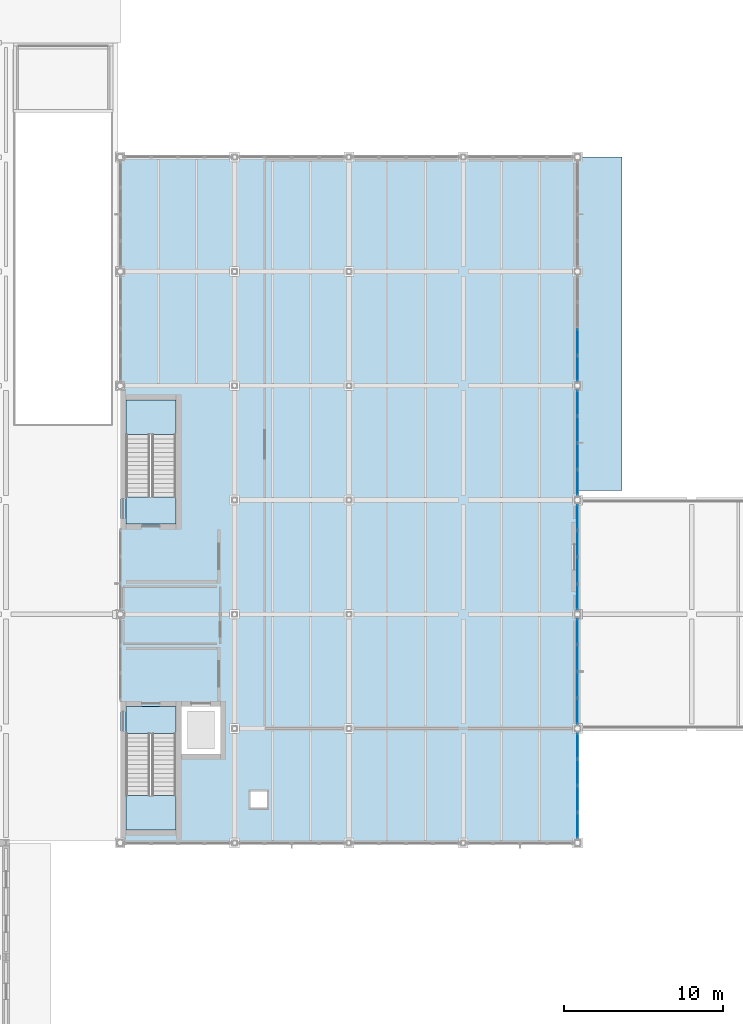
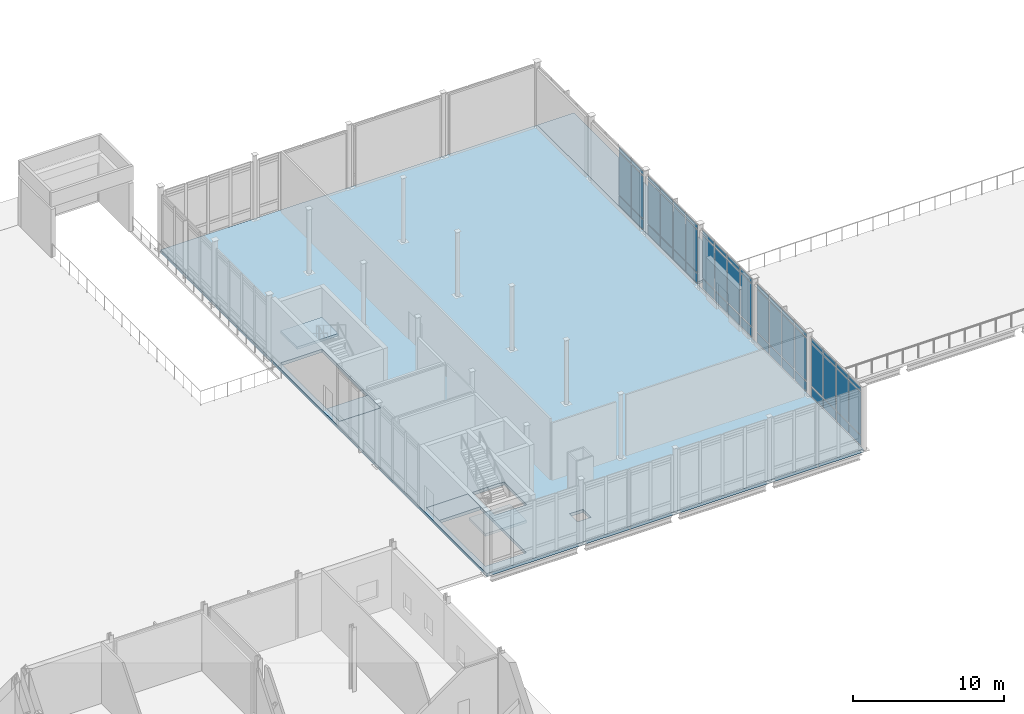
# One storey, part 44 of 89: 54 plates, 6 slabs, 7 elements without a shape of their own.
"""IFC4 building model written with IfcOpenShell, lengths in metres."""

from ifc_helpers import new_model, si_unit, direction, frame, origin, origin_2d, place, context, subcontext, project, spatial, polyline, rectangle, outline, extrude, material, layer, layer_set, type_object, element, aggregate, save


model = new_model("IFC4")

# Units and contexts
model_context = context("Model", 3, precision=1e-05, world=origin(), true_north=direction((0.0, 1.0)))
body_context = subcontext(model_context, "Body", "Model", "MODEL_VIEW")
ifc_project = project(units=[si_unit("LENGTHUNIT", "METRE"), si_unit("AREAUNIT", "SQUARE_METRE"), si_unit("VOLUMEUNIT", "CUBIC_METRE"), si_unit("PLANEANGLEUNIT", "RADIAN"), si_unit("MASSUNIT", "GRAM", prefix="KILO")], contexts=[model_context])

# Site, building, storey
site_placement = place(None, origin())
site = spatial("IfcSite", under=ifc_project, at=site_placement, CompositionType="ELEMENT")
building_placement = place(site_placement, origin())
building = spatial("IfcBuilding", under=site, at=building_placement, Name="Zarrinpeak Specialist Clinic", CompositionType="ELEMENT")
storey_placement = place(building_placement, origin())
storey = spatial("IfcBuildingStorey", under=building, at=storey_placement, Name="L00", CompositionType="ELEMENT", Elevation=0.0)

# Curtain wall, plates
ifc_material_1 = material(Name="Anodised Aluminium Alloy 6063-T6", Category="aluminium")
ifc_layer_1 = layer(ifc_material_1, 0.199951171875)
ifc_layer_set_1 = layer_set([ifc_layer_1], Name="Anodised Aluminium Alloy 6063-T6")
curtain_wall_type = type_object("IfcCurtainWallType", Name="CW-HALL", PredefinedType="NOTDEFINED", material=ifc_layer_set_1)
curtain_wall_1_placement = place(storey_placement, origin())
curtain_wall_1 = element("IfcCurtainWall", 1, at=curtain_wall_1_placement, inside=storey, type_object=curtain_wall_type, Name="L00 V3 Unitised Curtain Wall CW-L00-V3-091", PredefinedType="NOTDEFINED")
ifc_material_2 = material(Name="Double Low-E Insulated Glazing", Category="glass")
ifc_layer_2 = layer(ifc_material_2, 0.028076171875)
ifc_layer_set_2 = layer_set([ifc_layer_2], Name="Double Low-E Insulated Glazing")
plate_type = type_object("IfcPlateType", Name="CWP-GLZ28", PredefinedType="CURTAIN_PANEL", material=ifc_layer_set_2)
plate_1_placement = place(storey_placement, frame((122.39990234375, 29.8935546875, 0.08984375), z_axis=(0.0, 0.0, 1.0), x_axis=(0.0, 1.0, 0.0)))
plate_1 = element("IfcPlate", 2, at=plate_1_placement, type_object=plate_type, Name="CW-02 panel 1.1", PredefinedType="CURTAIN_PANEL", context=body_context, shape_type="SweptSolid", body=[
    extrude(rectangle(XDim=1.55078125, YDim=0.028076171875, at=origin_2d()), origin(), (0.0, 0.0, 1.0), 0.764892578125),
])
plate_2_placement = place(storey_placement, frame((122.39990234375, 29.8935546875, 0.945068359375), z_axis=(0.0, 0.0, 1.0), x_axis=(0.0, 1.0, 0.0)))
plate_2 = element("IfcPlate", 3, at=plate_2_placement, type_object=plate_type, Name="CW-02 panel 1.2", PredefinedType="CURTAIN_PANEL", context=body_context, shape_type="SweptSolid", body=[
    extrude(rectangle(XDim=1.55078125, YDim=0.028076171875, at=origin_2d()), origin(), (0.0, 0.0, 1.0), 3.43505859375),
])
plate_3_placement = place(storey_placement, frame((122.39990234375, 29.8935546875, 4.469970703125), z_axis=(0.0, 0.0, 1.0), x_axis=(0.0, 1.0, 0.0)))
plate_3 = element("IfcPlate", 4, at=plate_3_placement, type_object=plate_type, Name="CW-02 panel 1.3", PredefinedType="CURTAIN_PANEL", context=body_context, shape_type="SweptSolid", body=[
    extrude(rectangle(XDim=1.55078125, YDim=0.028076171875, at=origin_2d()), origin(), (0.0, 0.0, 1.0), 0.31494140625),
])
plate_4_placement = place(storey_placement, frame((122.39990234375, 31.55712890625, 0.08984375), z_axis=(0.0, 0.0, 1.0), x_axis=(0.0, 1.0, 0.0)))
plate_4 = element("IfcPlate", 5, at=plate_4_placement, type_object=plate_type, Name="CW-02 panel 2.1", PredefinedType="CURTAIN_PANEL", context=body_context, shape_type="SweptSolid", body=[
    extrude(rectangle(XDim=1.595947265625, YDim=0.028076171875, at=origin_2d()), origin(), (0.0, 0.0, 1.0), 0.764892578125),
])
plate_5_placement = place(storey_placement, frame((122.39990234375, 31.55712890625, 0.945068359375), z_axis=(0.0, 0.0, 1.0), x_axis=(0.0, 1.0, 0.0)))
plate_5 = element("IfcPlate", 6, at=plate_5_placement, type_object=plate_type, Name="CW-02 panel 2.2", PredefinedType="CURTAIN_PANEL", context=body_context, shape_type="SweptSolid", body=[
    extrude(rectangle(XDim=1.595947265625, YDim=0.028076171875, at=origin_2d()), origin(), (0.0, 0.0, 1.0), 3.43505859375),
])
plate_6_placement = place(storey_placement, frame((122.39990234375, 31.55712890625, 4.469970703125), z_axis=(0.0, 0.0, 1.0), x_axis=(0.0, 1.0, 0.0)))
plate_6 = element("IfcPlate", 7, at=plate_6_placement, type_object=plate_type, Name="CW-02 panel 2.3", PredefinedType="CURTAIN_PANEL", context=body_context, shape_type="SweptSolid", body=[
    extrude(rectangle(XDim=1.595947265625, YDim=0.028076171875, at=origin_2d()), origin(), (0.0, 0.0, 1.0), 0.31494140625),
])
plate_7_placement = place(storey_placement, frame((122.39990234375, 33.242919921875, 0.08984375), z_axis=(0.0, 0.0, 1.0), x_axis=(0.0, 1.0, 0.0)))
plate_7 = element("IfcPlate", 8, at=plate_7_placement, type_object=plate_type, Name="CW-02 panel 3.1", PredefinedType="CURTAIN_PANEL", context=body_context, shape_type="SweptSolid", body=[
    extrude(rectangle(XDim=1.595947265625, YDim=0.028076171875, at=origin_2d()), origin(), (0.0, 0.0, 1.0), 0.764892578125),
])
plate_8_placement = place(storey_placement, frame((122.39990234375, 33.242919921875, 0.945068359375), z_axis=(0.0, 0.0, 1.0), x_axis=(0.0, 1.0, 0.0)))
plate_8 = element("IfcPlate", 9, at=plate_8_placement, type_object=plate_type, Name="CW-02 panel 3.2", PredefinedType="CURTAIN_PANEL", context=body_context, shape_type="SweptSolid", body=[
    extrude(rectangle(XDim=1.595947265625, YDim=0.028076171875, at=origin_2d()), origin(), (0.0, 0.0, 1.0), 3.43505859375),
])
plate_9_placement = place(storey_placement, frame((122.39990234375, 33.242919921875, 4.469970703125), z_axis=(0.0, 0.0, 1.0), x_axis=(0.0, 1.0, 0.0)))
plate_9 = element("IfcPlate", 10, at=plate_9_placement, type_object=plate_type, Name="CW-02 panel 3.3", PredefinedType="CURTAIN_PANEL", context=body_context, shape_type="SweptSolid", body=[
    extrude(rectangle(XDim=1.595947265625, YDim=0.028076171875, at=origin_2d()), origin(), (0.0, 0.0, 1.0), 0.31494140625),
])
plate_10_placement = place(storey_placement, frame((122.39990234375, 34.90625, 0.08984375), z_axis=(0.0, 0.0, 1.0), x_axis=(0.0, 1.0, 0.0)))
plate_10 = element("IfcPlate", 11, at=plate_10_placement, type_object=plate_type, Name="CW-02 panel 4.1", PredefinedType="CURTAIN_PANEL", context=body_context, shape_type="SweptSolid", body=[
    extrude(rectangle(XDim=1.55078125, YDim=0.028076171875, at=origin_2d()), origin(), (0.0, 0.0, 1.0), 0.764892578125),
])
plate_11_placement = place(storey_placement, frame((122.39990234375, 34.90625, 0.945068359375), z_axis=(0.0, 0.0, 1.0), x_axis=(0.0, 1.0, 0.0)))
plate_11 = element("IfcPlate", 12, at=plate_11_placement, type_object=plate_type, Name="CW-02 panel 4.2", PredefinedType="CURTAIN_PANEL", context=body_context, shape_type="SweptSolid", body=[
    extrude(rectangle(XDim=1.55078125, YDim=0.028076171875, at=origin_2d()), origin(), (0.0, 0.0, 1.0), 3.43505859375),
])
plate_12_placement = place(storey_placement, frame((122.39990234375, 34.90625, 4.469970703125), z_axis=(0.0, 0.0, 1.0), x_axis=(0.0, 1.0, 0.0)))
plate_12 = element("IfcPlate", 13, at=plate_12_placement, type_object=plate_type, Name="CW-02 panel 4.3", PredefinedType="CURTAIN_PANEL", context=body_context, shape_type="SweptSolid", body=[
    extrude(rectangle(XDim=1.55078125, YDim=0.028076171875, at=origin_2d()), origin(), (0.0, 0.0, 1.0), 0.31494140625),
])
aggregate(curtain_wall_1, [plate_1, plate_2, plate_3, plate_4, plate_5, plate_6, plate_7, plate_8, plate_9, plate_10, plate_11, plate_12])

curtain_wall_2_placement = place(storey_placement, origin())
curtain_wall_2 = element("IfcCurtainWall", 14, at=curtain_wall_2_placement, inside=storey, type_object=curtain_wall_type, Name="L00 V3 Unitised Curtain Wall CW-L00-V3-092", PredefinedType="NOTDEFINED")
plate_13_placement = place(storey_placement, frame((122.39990234375, 37.09375, 0.08984375), z_axis=(0.0, 0.0, 1.0), x_axis=(0.0, 1.0, 0.0)))
plate_13 = element("IfcPlate", 15, at=plate_13_placement, type_object=plate_type, Name="CW-02 panel 1.1", PredefinedType="CURTAIN_PANEL", context=body_context, shape_type="SweptSolid", body=[
    extrude(rectangle(XDim=1.55078125, YDim=0.028076171875, at=origin_2d()), origin(), (0.0, 0.0, 1.0), 0.764892578125),
])
plate_14_placement = place(storey_placement, frame((122.39990234375, 37.09375, 0.945068359375), z_axis=(0.0, 0.0, 1.0), x_axis=(0.0, 1.0, 0.0)))
plate_14 = element("IfcPlate", 16, at=plate_14_placement, type_object=plate_type, Name="CW-02 panel 1.2", PredefinedType="CURTAIN_PANEL", context=body_context, shape_type="SweptSolid", body=[
    extrude(rectangle(XDim=1.55078125, YDim=0.028076171875, at=origin_2d()), origin(), (0.0, 0.0, 1.0), 3.43505859375),
])
plate_15_placement = place(storey_placement, frame((122.39990234375, 37.09375, 4.469970703125), z_axis=(0.0, 0.0, 1.0), x_axis=(0.0, 1.0, 0.0)))
plate_15 = element("IfcPlate", 17, at=plate_15_placement, type_object=plate_type, Name="CW-02 panel 1.3", PredefinedType="CURTAIN_PANEL", context=body_context, shape_type="SweptSolid", body=[
    extrude(rectangle(XDim=1.55078125, YDim=0.028076171875, at=origin_2d()), origin(), (0.0, 0.0, 1.0), 0.31494140625),
])
plate_16_placement = place(storey_placement, frame((122.39990234375, 38.757080078125, 0.08984375), z_axis=(0.0, 0.0, 1.0), x_axis=(0.0, 1.0, 0.0)))
plate_16 = element("IfcPlate", 18, at=plate_16_placement, type_object=plate_type, Name="CW-02 panel 2.1", PredefinedType="CURTAIN_PANEL", context=body_context, shape_type="SweptSolid", body=[
    extrude(rectangle(XDim=1.595947265625, YDim=0.028076171875, at=origin_2d()), origin(), (0.0, 0.0, 1.0), 0.764892578125),
])
plate_17_placement = place(storey_placement, frame((122.39990234375, 38.757080078125, 0.945068359375), z_axis=(0.0, 0.0, 1.0), x_axis=(0.0, 1.0, 0.0)))
plate_17 = element("IfcPlate", 19, at=plate_17_placement, type_object=plate_type, Name="CW-02 panel 2.2", PredefinedType="CURTAIN_PANEL", context=body_context, shape_type="SweptSolid", body=[
    extrude(rectangle(XDim=1.595947265625, YDim=0.028076171875, at=origin_2d()), origin(), (0.0, 0.0, 1.0), 3.43505859375),
])
plate_18_placement = place(storey_placement, frame((122.39990234375, 38.757080078125, 4.469970703125), z_axis=(0.0, 0.0, 1.0), x_axis=(0.0, 1.0, 0.0)))
plate_18 = element("IfcPlate", 20, at=plate_18_placement, type_object=plate_type, Name="CW-02 panel 2.3", PredefinedType="CURTAIN_PANEL", context=body_context, shape_type="SweptSolid", body=[
    extrude(rectangle(XDim=1.595947265625, YDim=0.028076171875, at=origin_2d()), origin(), (0.0, 0.0, 1.0), 0.31494140625),
])
plate_19_placement = place(storey_placement, frame((122.39990234375, 40.44287109375, 0.08984375), z_axis=(0.0, 0.0, 1.0), x_axis=(0.0, 1.0, 0.0)))
plate_19 = element("IfcPlate", 21, at=plate_19_placement, type_object=plate_type, Name="CW-02 panel 3.1", PredefinedType="CURTAIN_PANEL", context=body_context, shape_type="SweptSolid", body=[
    extrude(rectangle(XDim=1.595947265625, YDim=0.028076171875, at=origin_2d()), origin(), (0.0, 0.0, 1.0), 0.764892578125),
])
plate_20_placement = place(storey_placement, frame((122.39990234375, 40.44287109375, 0.945068359375), z_axis=(0.0, 0.0, 1.0), x_axis=(0.0, 1.0, 0.0)))
plate_20 = element("IfcPlate", 22, at=plate_20_placement, type_object=plate_type, Name="CW-02 panel 3.2", PredefinedType="CURTAIN_PANEL", context=body_context, shape_type="SweptSolid", body=[
    extrude(rectangle(XDim=1.595947265625, YDim=0.028076171875, at=origin_2d()), origin(), (0.0, 0.0, 1.0), 3.43505859375),
])
plate_21_placement = place(storey_placement, frame((122.39990234375, 40.44287109375, 4.469970703125), z_axis=(0.0, 0.0, 1.0), x_axis=(0.0, 1.0, 0.0)))
plate_21 = element("IfcPlate", 23, at=plate_21_placement, type_object=plate_type, Name="CW-02 panel 3.3", PredefinedType="CURTAIN_PANEL", context=body_context, shape_type="SweptSolid", body=[
    extrude(rectangle(XDim=1.595947265625, YDim=0.028076171875, at=origin_2d()), origin(), (0.0, 0.0, 1.0), 0.31494140625),
])
plate_22_placement = place(storey_placement, frame((122.39990234375, 42.1064453125, 0.08984375), z_axis=(0.0, 0.0, 1.0), x_axis=(0.0, 1.0, 0.0)))
plate_22 = element("IfcPlate", 24, at=plate_22_placement, type_object=plate_type, Name="CW-02 panel 4.1", PredefinedType="CURTAIN_PANEL", context=body_context, shape_type="SweptSolid", body=[
    extrude(rectangle(XDim=1.55078125, YDim=0.028076171875, at=origin_2d()), origin(), (0.0, 0.0, 1.0), 0.764892578125),
])
plate_23_placement = place(storey_placement, frame((122.39990234375, 42.1064453125, 0.945068359375), z_axis=(0.0, 0.0, 1.0), x_axis=(0.0, 1.0, 0.0)))
plate_23 = element("IfcPlate", 25, at=plate_23_placement, type_object=plate_type, Name="CW-02 panel 4.2", PredefinedType="CURTAIN_PANEL", context=body_context, shape_type="SweptSolid", body=[
    extrude(rectangle(XDim=1.55078125, YDim=0.028076171875, at=origin_2d()), origin(), (0.0, 0.0, 1.0), 3.43505859375),
])
plate_24_placement = place(storey_placement, frame((122.39990234375, 42.1064453125, 4.469970703125), z_axis=(0.0, 0.0, 1.0), x_axis=(0.0, 1.0, 0.0)))
plate_24 = element("IfcPlate", 26, at=plate_24_placement, type_object=plate_type, Name="CW-02 panel 4.3", PredefinedType="CURTAIN_PANEL", context=body_context, shape_type="SweptSolid", body=[
    extrude(rectangle(XDim=1.55078125, YDim=0.028076171875, at=origin_2d()), origin(), (0.0, 0.0, 1.0), 0.31494140625),
])
aggregate(curtain_wall_2, [plate_13, plate_14, plate_15, plate_16, plate_17, plate_18, plate_19, plate_20, plate_21, plate_22, plate_23, plate_24])

curtain_wall_3_placement = place(storey_placement, origin())
curtain_wall_3 = element("IfcCurtainWall", 27, at=curtain_wall_3_placement, inside=storey, type_object=curtain_wall_type, Name="L00 V3 Unitised Curtain Wall CW-L00-V3-093", PredefinedType="NOTDEFINED")
plate_25_placement = place(storey_placement, frame((122.39990234375, 44.293701171875, 0.08984375), z_axis=(0.0, 0.0, 1.0), x_axis=(0.0, 1.0, 0.0)))
plate_25 = element("IfcPlate", 28, at=plate_25_placement, type_object=plate_type, Name="CW-02 panel 1.1", PredefinedType="CURTAIN_PANEL", context=body_context, shape_type="SweptSolid", body=[
    extrude(rectangle(XDim=1.55078125, YDim=0.028076171875, at=origin_2d()), origin(), (0.0, 0.0, 1.0), 0.764892578125),
])
plate_26_placement = place(storey_placement, frame((122.39990234375, 44.293701171875, 0.945068359375), z_axis=(0.0, 0.0, 1.0), x_axis=(0.0, 1.0, 0.0)))
plate_26 = element("IfcPlate", 29, at=plate_26_placement, type_object=plate_type, Name="CW-02 panel 1.2", PredefinedType="CURTAIN_PANEL", context=body_context, shape_type="SweptSolid", body=[
    extrude(rectangle(XDim=1.55078125, YDim=0.028076171875, at=origin_2d()), origin(), (0.0, 0.0, 1.0), 3.43505859375),
])
plate_27_placement = place(storey_placement, frame((122.39990234375, 44.293701171875, 4.469970703125), z_axis=(0.0, 0.0, 1.0), x_axis=(0.0, 1.0, 0.0)))
plate_27 = element("IfcPlate", 30, at=plate_27_placement, type_object=plate_type, Name="CW-02 panel 1.3", PredefinedType="CURTAIN_PANEL", context=body_context, shape_type="SweptSolid", body=[
    extrude(rectangle(XDim=1.55078125, YDim=0.028076171875, at=origin_2d()), origin(), (0.0, 0.0, 1.0), 0.31494140625),
])
plate_28_placement = place(storey_placement, frame((122.39990234375, 45.95703125, 0.08984375), z_axis=(0.0, 0.0, 1.0), x_axis=(0.0, 1.0, 0.0)))
plate_28 = element("IfcPlate", 31, at=plate_28_placement, type_object=plate_type, Name="CW-02 panel 2.1", PredefinedType="CURTAIN_PANEL", context=body_context, shape_type="SweptSolid", body=[
    extrude(rectangle(XDim=1.595947265625, YDim=0.028076171875, at=origin_2d()), origin(), (0.0, 0.0, 1.0), 0.764892578125),
])
plate_29_placement = place(storey_placement, frame((122.39990234375, 45.95703125, 0.945068359375), z_axis=(0.0, 0.0, 1.0), x_axis=(0.0, 1.0, 0.0)))
plate_29 = element("IfcPlate", 32, at=plate_29_placement, type_object=plate_type, Name="CW-02 panel 2.2", PredefinedType="CURTAIN_PANEL", context=body_context, shape_type="SweptSolid", body=[
    extrude(rectangle(XDim=1.595947265625, YDim=0.028076171875, at=origin_2d()), origin(), (0.0, 0.0, 1.0), 3.43505859375),
])
plate_30_placement = place(storey_placement, frame((122.39990234375, 45.95703125, 4.469970703125), z_axis=(0.0, 0.0, 1.0), x_axis=(0.0, 1.0, 0.0)))
plate_30 = element("IfcPlate", 33, at=plate_30_placement, type_object=plate_type, Name="CW-02 panel 2.3", PredefinedType="CURTAIN_PANEL", context=body_context, shape_type="SweptSolid", body=[
    extrude(rectangle(XDim=1.595947265625, YDim=0.028076171875, at=origin_2d()), origin(), (0.0, 0.0, 1.0), 0.31494140625),
])
plate_31_placement = place(storey_placement, frame((122.39990234375, 47.64306640625, 0.08984375), z_axis=(0.0, 0.0, 1.0), x_axis=(0.0, 1.0, 0.0)))
plate_31 = element("IfcPlate", 34, at=plate_31_placement, type_object=plate_type, Name="CW-02 panel 3.1", PredefinedType="CURTAIN_PANEL", context=body_context, shape_type="SweptSolid", body=[
    extrude(rectangle(XDim=1.595947265625, YDim=0.028076171875, at=origin_2d()), origin(), (0.0, 0.0, 1.0), 0.764892578125),
])
plate_32_placement = place(storey_placement, frame((122.39990234375, 47.64306640625, 0.945068359375), z_axis=(0.0, 0.0, 1.0), x_axis=(0.0, 1.0, 0.0)))
plate_32 = element("IfcPlate", 35, at=plate_32_placement, type_object=plate_type, Name="CW-02 panel 3.2", PredefinedType="CURTAIN_PANEL", context=body_context, shape_type="SweptSolid", body=[
    extrude(rectangle(XDim=1.595947265625, YDim=0.028076171875, at=origin_2d()), origin(), (0.0, 0.0, 1.0), 3.43505859375),
])
plate_33_placement = place(storey_placement, frame((122.39990234375, 47.64306640625, 4.469970703125), z_axis=(0.0, 0.0, 1.0), x_axis=(0.0, 1.0, 0.0)))
plate_33 = element("IfcPlate", 36, at=plate_33_placement, type_object=plate_type, Name="CW-02 panel 3.3", PredefinedType="CURTAIN_PANEL", context=body_context, shape_type="SweptSolid", body=[
    extrude(rectangle(XDim=1.595947265625, YDim=0.028076171875, at=origin_2d()), origin(), (0.0, 0.0, 1.0), 0.31494140625),
])
plate_34_placement = place(storey_placement, frame((122.39990234375, 49.306396484375, 0.08984375), z_axis=(0.0, 0.0, 1.0), x_axis=(0.0, 1.0, 0.0)))
plate_34 = element("IfcPlate", 37, at=plate_34_placement, type_object=plate_type, Name="CW-02 panel 4.1", PredefinedType="CURTAIN_PANEL", context=body_context, shape_type="SweptSolid", body=[
    extrude(rectangle(XDim=1.55078125, YDim=0.028076171875, at=origin_2d()), origin(), (0.0, 0.0, 1.0), 0.764892578125),
])
plate_35_placement = place(storey_placement, frame((122.39990234375, 49.306396484375, 0.945068359375), z_axis=(0.0, 0.0, 1.0), x_axis=(0.0, 1.0, 0.0)))
plate_35 = element("IfcPlate", 38, at=plate_35_placement, type_object=plate_type, Name="CW-02 panel 4.2", PredefinedType="CURTAIN_PANEL", context=body_context, shape_type="SweptSolid", body=[
    extrude(rectangle(XDim=1.55078125, YDim=0.028076171875, at=origin_2d()), origin(), (0.0, 0.0, 1.0), 3.43505859375),
])
plate_36_placement = place(storey_placement, frame((122.39990234375, 49.306396484375, 4.469970703125), z_axis=(0.0, 0.0, 1.0), x_axis=(0.0, 1.0, 0.0)))
plate_36 = element("IfcPlate", 39, at=plate_36_placement, type_object=plate_type, Name="CW-02 panel 4.3", PredefinedType="CURTAIN_PANEL", context=body_context, shape_type="SweptSolid", body=[
    extrude(rectangle(XDim=1.55078125, YDim=0.028076171875, at=origin_2d()), origin(), (0.0, 0.0, 1.0), 0.31494140625),
])
aggregate(curtain_wall_3, [plate_25, plate_26, plate_27, plate_28, plate_29, plate_30, plate_31, plate_32, plate_33, plate_34, plate_35, plate_36])

curtain_wall_4_placement = place(storey_placement, origin())
curtain_wall_4 = element("IfcCurtainWall", 40, at=curtain_wall_4_placement, inside=storey, type_object=curtain_wall_type, Name="L00 V3 Unitised Curtain Wall CW-L00-V3-094", PredefinedType="NOTDEFINED")
plate_37_placement = place(storey_placement, frame((122.39990234375, 51.49365234375, 0.08984375), z_axis=(0.0, 0.0, 1.0), x_axis=(0.0, 1.0, 0.0)))
plate_37 = element("IfcPlate", 41, at=plate_37_placement, type_object=plate_type, Name="CW-02 panel 1.1", PredefinedType="CURTAIN_PANEL", context=body_context, shape_type="SweptSolid", body=[
    extrude(rectangle(XDim=1.55078125, YDim=0.028076171875, at=origin_2d()), origin(), (0.0, 0.0, 1.0), 0.764892578125),
])
plate_38_placement = place(storey_placement, frame((122.39990234375, 51.49365234375, 0.945068359375), z_axis=(0.0, 0.0, 1.0), x_axis=(0.0, 1.0, 0.0)))
plate_38 = element("IfcPlate", 42, at=plate_38_placement, type_object=plate_type, Name="CW-02 panel 1.2", PredefinedType="CURTAIN_PANEL", context=body_context, shape_type="SweptSolid", body=[
    extrude(rectangle(XDim=1.55078125, YDim=0.028076171875, at=origin_2d()), origin(), (0.0, 0.0, 1.0), 3.43505859375),
])
plate_39_placement = place(storey_placement, frame((122.39990234375, 51.49365234375, 4.469970703125), z_axis=(0.0, 0.0, 1.0), x_axis=(0.0, 1.0, 0.0)))
plate_39 = element("IfcPlate", 43, at=plate_39_placement, type_object=plate_type, Name="CW-02 panel 1.3", PredefinedType="CURTAIN_PANEL", context=body_context, shape_type="SweptSolid", body=[
    extrude(rectangle(XDim=1.55078125, YDim=0.028076171875, at=origin_2d()), origin(), (0.0, 0.0, 1.0), 0.31494140625),
])
plate_40_placement = place(storey_placement, frame((122.39990234375, 53.156982421875, 0.08984375), z_axis=(0.0, 0.0, 1.0), x_axis=(0.0, 1.0, 0.0)))
plate_40 = element("IfcPlate", 44, at=plate_40_placement, type_object=plate_type, Name="CW-02 panel 2.1", PredefinedType="CURTAIN_PANEL", context=body_context, shape_type="SweptSolid", body=[
    extrude(rectangle(XDim=1.595947265625, YDim=0.028076171875, at=origin_2d()), origin(), (0.0, 0.0, 1.0), 0.764892578125),
])
plate_41_placement = place(storey_placement, frame((122.39990234375, 53.156982421875, 0.945068359375), z_axis=(0.0, 0.0, 1.0), x_axis=(0.0, 1.0, 0.0)))
plate_41 = element("IfcPlate", 45, at=plate_41_placement, type_object=plate_type, Name="CW-02 panel 2.2", PredefinedType="CURTAIN_PANEL", context=body_context, shape_type="SweptSolid", body=[
    extrude(rectangle(XDim=1.595947265625, YDim=0.028076171875, at=origin_2d()), origin(), (0.0, 0.0, 1.0), 3.43505859375),
])
plate_42_placement = place(storey_placement, frame((122.39990234375, 53.156982421875, 4.469970703125), z_axis=(0.0, 0.0, 1.0), x_axis=(0.0, 1.0, 0.0)))
plate_42 = element("IfcPlate", 46, at=plate_42_placement, type_object=plate_type, Name="CW-02 panel 2.3", PredefinedType="CURTAIN_PANEL", context=body_context, shape_type="SweptSolid", body=[
    extrude(rectangle(XDim=1.595947265625, YDim=0.028076171875, at=origin_2d()), origin(), (0.0, 0.0, 1.0), 0.31494140625),
])
plate_43_placement = place(storey_placement, frame((122.39990234375, 54.843017578125, 0.08984375), z_axis=(0.0, 0.0, 1.0), x_axis=(0.0, 1.0, 0.0)))
plate_43 = element("IfcPlate", 47, at=plate_43_placement, type_object=plate_type, Name="CW-02 panel 3.1", PredefinedType="CURTAIN_PANEL", context=body_context, shape_type="SweptSolid", body=[
    extrude(rectangle(XDim=1.595947265625, YDim=0.028076171875, at=origin_2d()), origin(), (0.0, 0.0, 1.0), 0.764892578125),
])
plate_44_placement = place(storey_placement, frame((122.39990234375, 54.843017578125, 0.945068359375), z_axis=(0.0, 0.0, 1.0), x_axis=(0.0, 1.0, 0.0)))
plate_44 = element("IfcPlate", 48, at=plate_44_placement, type_object=plate_type, Name="CW-02 panel 3.2", PredefinedType="CURTAIN_PANEL", context=body_context, shape_type="SweptSolid", body=[
    extrude(rectangle(XDim=1.595947265625, YDim=0.028076171875, at=origin_2d()), origin(), (0.0, 0.0, 1.0), 3.43505859375),
])
plate_45_placement = place(storey_placement, frame((122.39990234375, 54.843017578125, 4.469970703125), z_axis=(0.0, 0.0, 1.0), x_axis=(0.0, 1.0, 0.0)))
plate_45 = element("IfcPlate", 49, at=plate_45_placement, type_object=plate_type, Name="CW-02 panel 3.3", PredefinedType="CURTAIN_PANEL", context=body_context, shape_type="SweptSolid", body=[
    extrude(rectangle(XDim=1.595947265625, YDim=0.028076171875, at=origin_2d()), origin(), (0.0, 0.0, 1.0), 0.31494140625),
])
plate_46_placement = place(storey_placement, frame((122.39990234375, 56.50634765625, 0.08984375), z_axis=(0.0, 0.0, 1.0), x_axis=(0.0, 1.0, 0.0)))
plate_46 = element("IfcPlate", 50, at=plate_46_placement, type_object=plate_type, Name="CW-02 panel 4.1", PredefinedType="CURTAIN_PANEL", context=body_context, shape_type="SweptSolid", body=[
    extrude(rectangle(XDim=1.55078125, YDim=0.028076171875, at=origin_2d()), origin(), (0.0, 0.0, 1.0), 0.764892578125),
])
plate_47_placement = place(storey_placement, frame((122.39990234375, 56.50634765625, 0.945068359375), z_axis=(0.0, 0.0, 1.0), x_axis=(0.0, 1.0, 0.0)))
plate_47 = element("IfcPlate", 51, at=plate_47_placement, type_object=plate_type, Name="CW-02 panel 4.2", PredefinedType="CURTAIN_PANEL", context=body_context, shape_type="SweptSolid", body=[
    extrude(rectangle(XDim=1.55078125, YDim=0.028076171875, at=origin_2d()), origin(), (0.0, 0.0, 1.0), 3.43505859375),
])
plate_48_placement = place(storey_placement, frame((122.39990234375, 56.50634765625, 4.469970703125), z_axis=(0.0, 0.0, 1.0), x_axis=(0.0, 1.0, 0.0)))
plate_48 = element("IfcPlate", 52, at=plate_48_placement, type_object=plate_type, Name="CW-02 panel 4.3", PredefinedType="CURTAIN_PANEL", context=body_context, shape_type="SweptSolid", body=[
    extrude(rectangle(XDim=1.55078125, YDim=0.028076171875, at=origin_2d()), origin(), (0.0, 0.0, 1.0), 0.31494140625),
])
aggregate(curtain_wall_4, [plate_37, plate_38, plate_39, plate_40, plate_41, plate_42, plate_43, plate_44, plate_45, plate_46, plate_47, plate_48])

curtain_wall_5_placement = place(storey_placement, origin())
curtain_wall_5 = element("IfcCurtainWall", 53, at=curtain_wall_5_placement, inside=storey, type_object=curtain_wall_type, Name="L00 V3 Unitised Curtain Wall CW-L00-V3-095", PredefinedType="NOTDEFINED")
plate_49_placement = place(storey_placement, frame((122.39990234375, 58.693603515625, 0.08984375), z_axis=(0.0, 0.0, 1.0), x_axis=(0.0, 1.0, 0.0)))
plate_49 = element("IfcPlate", 54, at=plate_49_placement, type_object=plate_type, Name="CW-02 panel 1.1", PredefinedType="CURTAIN_PANEL", context=body_context, shape_type="SweptSolid", body=[
    extrude(rectangle(XDim=1.55078125, YDim=0.028076171875, at=origin_2d()), origin(), (0.0, 0.0, 1.0), 0.764892578125),
])
plate_50_placement = place(storey_placement, frame((122.39990234375, 58.693603515625, 0.945068359375), z_axis=(0.0, 0.0, 1.0), x_axis=(0.0, 1.0, 0.0)))
plate_50 = element("IfcPlate", 55, at=plate_50_placement, type_object=plate_type, Name="CW-02 panel 1.2", PredefinedType="CURTAIN_PANEL", context=body_context, shape_type="SweptSolid", body=[
    extrude(rectangle(XDim=1.55078125, YDim=0.028076171875, at=origin_2d()), origin(), (0.0, 0.0, 1.0), 3.43505859375),
])
plate_51_placement = place(storey_placement, frame((122.39990234375, 58.693603515625, 4.469970703125), z_axis=(0.0, 0.0, 1.0), x_axis=(0.0, 1.0, 0.0)))
plate_51 = element("IfcPlate", 56, at=plate_51_placement, type_object=plate_type, Name="CW-02 panel 1.3", PredefinedType="CURTAIN_PANEL", context=body_context, shape_type="SweptSolid", body=[
    extrude(rectangle(XDim=1.55078125, YDim=0.028076171875, at=origin_2d()), origin(), (0.0, 0.0, 1.0), 0.31494140625),
])
plate_52_placement = place(storey_placement, frame((122.39990234375, 60.35693359375, 0.08984375), z_axis=(0.0, 0.0, 1.0), x_axis=(0.0, 1.0, 0.0)))
plate_52 = element("IfcPlate", 57, at=plate_52_placement, type_object=plate_type, Name="CW-02 panel 2.1", PredefinedType="CURTAIN_PANEL", context=body_context, shape_type="SweptSolid", body=[
    extrude(rectangle(XDim=1.595947265625, YDim=0.028076171875, at=origin_2d()), origin(), (0.0, 0.0, 1.0), 0.764892578125),
])
plate_53_placement = place(storey_placement, frame((122.39990234375, 60.35693359375, 0.945068359375), z_axis=(0.0, 0.0, 1.0), x_axis=(0.0, 1.0, 0.0)))
plate_53 = element("IfcPlate", 58, at=plate_53_placement, type_object=plate_type, Name="CW-02 panel 2.2", PredefinedType="CURTAIN_PANEL", context=body_context, shape_type="SweptSolid", body=[
    extrude(rectangle(XDim=1.595947265625, YDim=0.028076171875, at=origin_2d()), origin(), (0.0, 0.0, 1.0), 3.43505859375),
])
plate_54_placement = place(storey_placement, frame((122.39990234375, 60.35693359375, 4.469970703125), z_axis=(0.0, 0.0, 1.0), x_axis=(0.0, 1.0, 0.0)))
plate_54 = element("IfcPlate", 59, at=plate_54_placement, type_object=plate_type, Name="CW-02 panel 2.3", PredefinedType="CURTAIN_PANEL", context=body_context, shape_type="SweptSolid", body=[
    extrude(rectangle(XDim=1.595947265625, YDim=0.028076171875, at=origin_2d()), origin(), (0.0, 0.0, 1.0), 0.31494140625),
])
aggregate(curtain_wall_5, [plate_49, plate_50, plate_51, plate_52, plate_53, plate_54])

# Slabs
ifc_material_3 = material(Name="Concrete C35/45", Category="concrete")
ifc_layer_3 = layer(ifc_material_3, 0.25)
ifc_layer_set_3 = layer_set([ifc_layer_3], Name="Concrete C35/45")
slab_type_1 = type_object("IfcSlabType", Name="SL-FLR250", PredefinedType="FLOOR", material=ifc_layer_set_3)
slab_1_placement = place(storey_placement, frame((0.0, 0.0, -0.25)))
element("IfcSlab", 60, at=slab_1_placement, inside=storey, type_object=slab_type_1, Name="L00 Suspended Clinical Floor Slab V3", PredefinedType="FLOOR", context=body_context, shape_type="SweptSolid", body=[
    extrude(outline(polyline([(93.60009765625, 28.800048828125), (122.39990234375, 28.800048828125), (122.39990234375, 72.0), (93.60009765625, 72.0), (93.60009765625, 28.800048828125)]), holes=[polyline([(93.949951171875, 29.60009765625), (97.10009765625, 29.60009765625), (97.10009765625, 37.39990234375), (93.949951171875, 37.39990234375), (93.949951171875, 29.60009765625)]), polyline([(97.449951171875, 34.39990234375), (99.89990234375, 34.39990234375), (99.89990234375, 37.39990234375), (97.449951171875, 37.39990234375), (97.449951171875, 34.39990234375)]), polyline([(93.949951171875, 48.89990234375), (97.10009765625, 48.89990234375), (97.10009765625, 56.699951171875), (93.949951171875, 56.699951171875), (93.949951171875, 48.89990234375)]), polyline([(101.800048828125, 31.0), (102.85009765625, 31.0), (102.85009765625, 32.050048828125), (101.800048828125, 32.050048828125), (101.800048828125, 31.0)])]), origin(), (0.0, 0.0, 1.0), 0.25),
])
slab_2_placement = place(storey_placement, frame((0.0, 0.0, -0.25)))
element("IfcSlab", 61, at=slab_2_placement, inside=storey, type_object=slab_type_1, Name="L00 Core C05 Stairwell Floor Landing Slab", PredefinedType="FLOOR", context=body_context, shape_type="SweptSolid", body=[
    extrude(outline(polyline([(93.949951171875, 35.699951171875), (97.10009765625, 35.699951171875), (97.10009765625, 37.39990234375), (93.949951171875, 37.39990234375), (93.949951171875, 35.699951171875)])), origin(), (0.0, 0.0, 1.0), 0.25),
])
slab_3_placement = place(storey_placement, frame((0.0, 0.0, -0.25)))
element("IfcSlab", 62, at=slab_3_placement, inside=storey, type_object=slab_type_1, Name="L00 Core C06 Stairwell Floor Landing Slab", PredefinedType="FLOOR", context=body_context, shape_type="SweptSolid", body=[
    extrude(outline(polyline([(93.949951171875, 48.89990234375), (97.10009765625, 48.89990234375), (97.10009765625, 50.60009765625), (93.949951171875, 50.60009765625), (93.949951171875, 48.89990234375)])), origin(), (0.0, 0.0, 1.0), 0.25),
])

# Stair, slab
stair_type = type_object("IfcStairType", Name="ST-DOG", PredefinedType="HALF_TURN_STAIR", material=ifc_material_3)
stair_1_placement = place(storey_placement, origin())
stair_1 = element("IfcStair", 63, at=stair_1_placement, inside=storey, type_object=stair_type, Name="L00 Protected Exit Stair ST-05", PredefinedType="HALF_TURN_STAIR")
ifc_layer_4 = layer(ifc_material_3, 0.199951171875)
ifc_layer_set_4 = layer_set([ifc_layer_4], Name="Concrete C35/45")
slab_type_2 = type_object("IfcSlabType", Name="SL-LAND200", PredefinedType="LANDING", material=ifc_layer_set_4)
slab_4_placement = place(storey_placement, frame((0.0, 0.0, 2.39990234375)))
slab_4 = element("IfcSlab", 64, at=slab_4_placement, type_object=slab_type_2, Name="ST-05 landing 1", PredefinedType="LANDING", context=body_context, shape_type="SweptSolid", body=[
    extrude(outline(polyline([(93.949951171875, 31.780029296875), (93.949951171875, 29.60009765625), (97.10009765625, 29.60009765625), (97.10009765625, 31.780029296875), (93.949951171875, 31.780029296875)])), origin(), (0.0, 0.0, 1.0), 0.2001953125),
])
aggregate(stair_1, [slab_4])

stair_2_placement = place(storey_placement, origin())
stair_2 = element("IfcStair", 65, at=stair_2_placement, inside=storey, type_object=stair_type, Name="L00 Protected Exit Stair ST-06", PredefinedType="HALF_TURN_STAIR")
slab_5_placement = place(storey_placement, frame((0.0, 0.0, 2.39990234375)))
slab_5 = element("IfcSlab", 66, at=slab_5_placement, type_object=slab_type_2, Name="ST-06 landing 1", PredefinedType="LANDING", context=body_context, shape_type="SweptSolid", body=[
    extrude(outline(polyline([(97.10009765625, 54.52001953125), (97.10009765625, 56.699951171875), (93.949951171875, 56.699951171875), (93.949951171875, 54.52001953125), (97.10009765625, 54.52001953125)])), origin(), (0.0, 0.0, 1.0), 0.2001953125),
])
aggregate(stair_2, [slab_5])

# Slab
ifc_layer_5 = layer(ifc_material_3, 0.195068359375)
ifc_layer_set_5 = layer_set([ifc_layer_5], Name="Concrete C35/45")
slab_type_3 = type_object("IfcSlabType", Name="SL-TER195", PredefinedType="FLOOR", material=ifc_layer_set_5)
slab_6_placement = place(storey_placement, frame((0.0, 0.0, -0.195068359375)))
element("IfcSlab", 67, at=slab_6_placement, inside=storey, type_object=slab_type_3, Name="L00 V3 Winterhouse East Promenade Apron Slab", PredefinedType="FLOOR", context=body_context, shape_type="SweptSolid", body=[
    extrude(outline(polyline([(122.39990234375, 51.0), (125.199951171875, 51.0), (125.199951171875, 72.0), (122.39990234375, 72.0), (122.39990234375, 51.0)])), origin(), (0.0, 0.0, 1.0), 0.195068359375),
])

save(model, "model.ifc")
